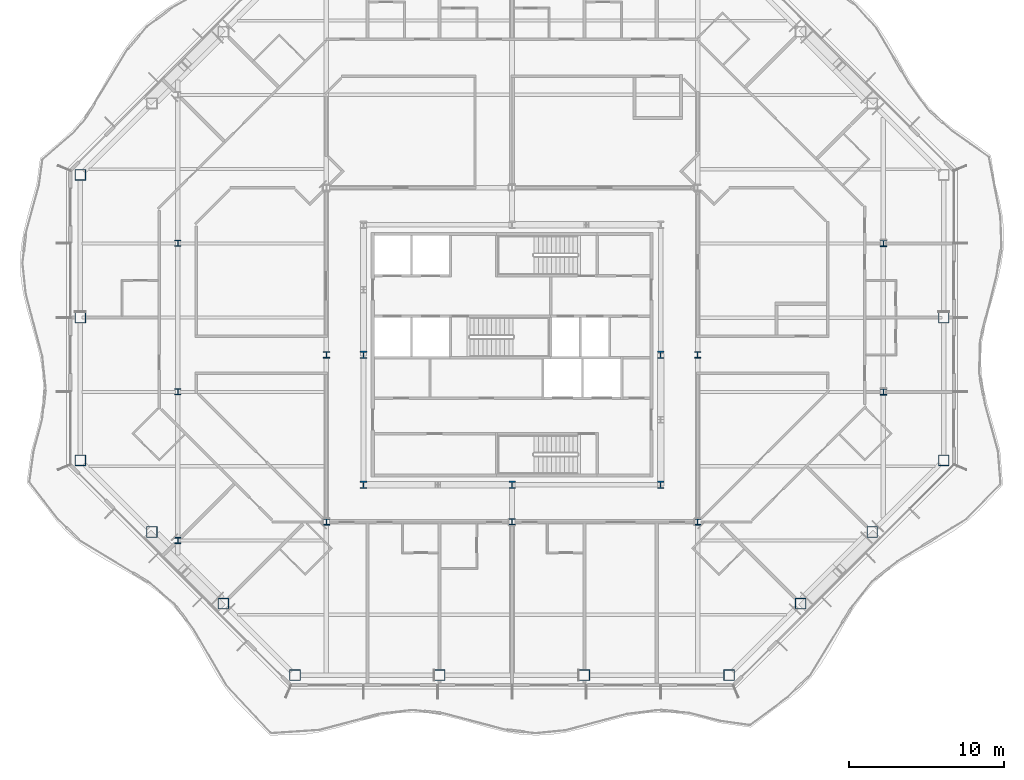
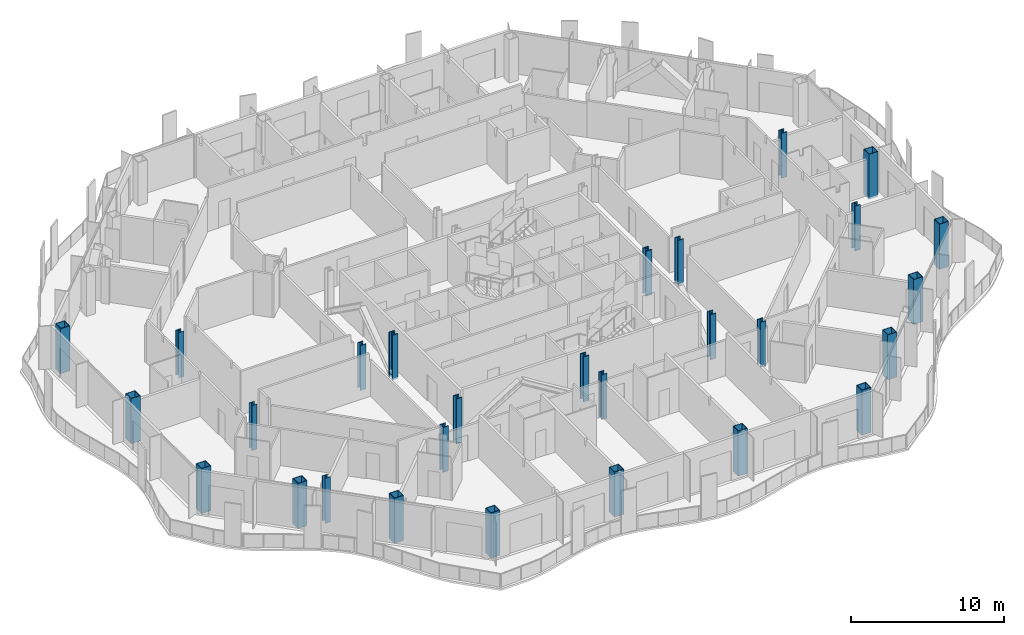
# One storey, part 1 of 21: 28 columns.
"""IFC4 building model written with IfcOpenShell, lengths in metres."""

from ifc_helpers import new_model, si_unit, direction, frame, origin, origin_2d, place, context, subcontext, project, spatial, hollow_rectangle, i_section, extrude, material, material_profile, profile_set, type_object, element, save


model = new_model("IFC4")

# Units and contexts
model_context = context("Model", 3, precision=1e-05, world=origin(), true_north=direction((0.0, 1.0)))
body_context = subcontext(model_context, "Body", "Model", "MODEL_VIEW")
ifc_project = project(units=[si_unit("LENGTHUNIT", "METRE"), si_unit("AREAUNIT", "SQUARE_METRE"), si_unit("VOLUMEUNIT", "CUBIC_METRE"), si_unit("PLANEANGLEUNIT", "RADIAN"), si_unit("MASSUNIT", "GRAM", prefix="KILO")], contexts=[model_context])

# Site, building, storey
site_placement = place(None, origin())
site = spatial("IfcSite", under=ifc_project, at=site_placement, CompositionType="ELEMENT")
building_placement = place(site_placement, origin())
building = spatial("IfcBuilding", under=site, at=building_placement, Name="Cairn Pilgrim Tower", CompositionType="ELEMENT")
storey_placement = place(building_placement, frame((0.0, 0.0, 139.800048828125)))
storey = spatial("IfcBuildingStorey", under=building, at=storey_placement, Name="L34", CompositionType="ELEMENT", Elevation=139.800048828125)

# Columns
ifc_material_1 = material(Name="Structural steel S460M", Category="steel")
ifc_material_profile_1 = material_profile(ifc_material_1, hollow_rectangle(XDim=0.699951171875, YDim=0.699951171875, WallThickness=0.0400390625, at=origin_2d()), Name="BOX 700x700x40")
ifc_profile_set_1 = profile_set([ifc_material_profile_1], Name="Structural steel S460M")
column_type_1 = type_object("IfcColumnType", Name="BOX 700x700x40", PredefinedType="COLUMN", material=ifc_profile_set_1)
for number, where, z_axis, x_axis, name in (
    (1, (-6.8271484375, -18.300048828125, -0.150146484375), (0.0, 0.0, 1.0), (1.0, 0.0, 0.0), "PC2-S1"),
    (2, (2.5244140625, -18.300048828125, -0.150146484375), (0.0, 0.0, 1.0), (1.0, 0.0, 0.0), "PC2-S2"),
    (3, (11.875732421875, -18.300048828125, -0.150146484375), (0.0, 0.0, 1.0), (1.0, 0.0, 0.0), "PC2-S3"),
    (4, (21.227294921875, -18.300048828125, -0.150146484375), (0.0, 0.0, 1.0), (1.0, 0.0, 0.0), "PC2-SE1"),
    (5, (25.8515625, -13.67578125, -0.150146484375), (0.0, 0.0, 1.0), (1.0, 0.0, 0.0), "PC2-SE2"),
    (6, (30.4755859375, -9.051513671875, -0.150146484375), (0.0, 0.0, 1.0), (1.0, 0.0, 0.0), "PC2-SE3"),
    (7, (35.10009765625, -4.42724609375, -0.150146484375), (0.0, 0.0, 1.0), (1.0, 0.0, 0.0), "PC2-E1"),
    (8, (35.10009765625, 4.800048828125, -0.150146484375), (0.0, 0.0, 1.0), (1.0, 0.0, 0.0), "PC2-E2"),
    (9, (-20.699951171875, 14.027099609375, -0.150146484375), (0.0, 0.0, 1.0), (1.0, 0.0, 0.0), "PC2-W1"),
    (10, (-20.699951171875, 4.800048828125, -0.150146484375), (0.0, 0.0, 1.0), (1.0, 0.0, 0.0), "PC2-W2"),
    (11, (-20.699951171875, -4.42724609375, -0.150146484375), (0.0, 0.0, 1.0), (1.0, 0.0, 0.0), "PC2-SW1"),
    (12, (-16.07568359375, -9.051513671875, -0.150146484375), (0.0, 0.0, 1.0), (1.0, 0.0, 0.0), "PC2-SW2"),
    (13, (-11.451416015625, -13.67578125, -0.150146484375), (0.0, 0.0, 1.0), (1.0, 0.0, 0.0), "PC2-SW3"),
):
    element("IfcColumn", number, at=place(storey_placement, frame(where, z_axis=z_axis, x_axis=x_axis)), inside=storey, type_object=column_type_1, Name=name, PredefinedType="COLUMN", context=body_context, shape_type="SweptSolid", body=[
        extrude(hollow_rectangle(XDim=0.699951171875, YDim=0.699951171875, WallThickness=0.0400390625, at=origin_2d()), origin(), (0.0, 0.0, 1.0), 3.60009765625),
    ])
ifc_material_2 = material(Name="Structural steel S355J2", Category="steel")
ifc_material_profile_2 = material_profile(ifc_material_2, i_section(OverallWidth=0.39892578125, OverallDepth=0.39306640625, WebThickness=0.022705078125, FlangeThickness=0.03662109375, FilletRadius=0.014892578125, at=origin_2d()), Name="HD 400x287")
ifc_profile_set_2 = profile_set([ifc_material_profile_2], Name="Structural steel S355J2")
column_type_2 = type_object("IfcColumnType", Name="HD 400x287", PredefinedType="COLUMN", material=ifc_profile_set_2)
for number, where, z_axis, x_axis, name in (
    (14, (-14.39990234375, -9.60009765625, -0.150146484375), (0.0, 0.0, 1.0), (1.0, 0.0, 0.0), "WC-WW-2"),
    (15, (-14.39990234375, 0.0, -0.150146484375), (0.0, 0.0, 1.0), (1.0, 0.0, 0.0), "WC-WW+0"),
    (16, (-14.39990234375, 9.60009765625, -0.150146484375), (0.0, 0.0, 1.0), (1.0, 0.0, 0.0), "WC-WW+2"),
):
    element("IfcColumn", number, at=place(storey_placement, frame(where, z_axis=z_axis, x_axis=x_axis)), inside=storey, type_object=column_type_2, Name=name, PredefinedType="COLUMN", context=body_context, shape_type="SweptSolid", body=[
        extrude(i_section(OverallWidth=0.39892578125, OverallDepth=0.39306640625, WebThickness=0.022705078125, FlangeThickness=0.03662109375, FilletRadius=0.014892578125, at=origin_2d()), origin(), (0.0, 0.0, 1.0), 3.60009765625),
    ])
ifc_material_profile_3 = material_profile(ifc_material_1, i_section(OverallWidth=0.408935546875, OverallDepth=0.425048828125, WebThickness=0.03271484375, FlangeThickness=0.052490234375, FilletRadius=0.014892578125, at=origin_2d()), Name="HD 400x421")
ifc_profile_set_3 = profile_set([ifc_material_profile_3], Name="Structural steel S460M")
column_type_3 = type_object("IfcColumnType", Name="HD 400x421", PredefinedType="COLUMN", material=ifc_profile_set_3)
for number, where, z_axis, x_axis, name in (
    (17, (-4.800048828125, -8.39990234375, -0.150146484375), (0.0, 0.0, 1.0), (1.0, 0.0, 0.0), "IC-1"),
    (18, (7.199951171875, -8.39990234375, -0.150146484375), (0.0, 0.0, 1.0), (1.0, 0.0, 0.0), "IC-2"),
    (19, (19.199951171875, -8.39990234375, -0.150146484375), (0.0, 0.0, 1.0), (1.0, 0.0, 0.0), "IC-3"),
    (20, (-4.800048828125, 2.39990234375, -0.150146484375), (0.0, 0.0, 1.0), (1.0, 0.0, 0.0), "IC-4"),
    (21, (19.199951171875, 2.39990234375, -0.150146484375), (0.0, 0.0, 1.0), (1.0, 0.0, 0.0), "IC-5"),
    (22, (31.199951171875, 0.0, -0.150146484375), (0.0, 0.0, 1.0), (1.0, 0.0, 0.0), "WC-WE+0"),
    (23, (31.199951171875, 9.60009765625, -0.150146484375), (0.0, 0.0, 1.0), (1.0, 0.0, 0.0), "WC-WE+2"),
):
    element("IfcColumn", number, at=place(storey_placement, frame(where, z_axis=z_axis, x_axis=x_axis)), inside=storey, type_object=column_type_3, Name=name, PredefinedType="COLUMN", context=body_context, shape_type="SweptSolid", body=[
        extrude(i_section(OverallWidth=0.408935546875, OverallDepth=0.425048828125, WebThickness=0.03271484375, FlangeThickness=0.052490234375, FilletRadius=0.014892578125, at=origin_2d()), origin(), (0.0, 0.0, 1.0), 3.60009765625),
    ])
ifc_material_profile_4 = material_profile(ifc_material_1, i_section(OverallWidth=0.424072265625, OverallDepth=0.47412109375, WebThickness=0.047607421875, FlangeThickness=0.0771484375, FilletRadius=0.014892578125, at=origin_2d()), Name="HD 400x634")
ifc_profile_set_4 = profile_set([ifc_material_profile_4], Name="Structural steel S460M")
column_type_4 = type_object("IfcColumnType", Name="HD 400x634", PredefinedType="COLUMN", material=ifc_profile_set_4)
for number, where, z_axis, x_axis, name in (
    (24, (-2.39990234375, -6.0, -0.150146484375), (0.0, 0.0, 1.0), (1.0, 0.0, 0.0), "KC-1"),
    (25, (7.199951171875, -6.0, -0.150146484375), (0.0, 0.0, 1.0), (1.0, 0.0, 0.0), "KC-2"),
    (26, (16.800048828125, -6.0, -0.150146484375), (0.0, 0.0, 1.0), (1.0, 0.0, 0.0), "KC-3"),
    (27, (-2.39990234375, 2.39990234375, -0.150146484375), (0.0, 0.0, 1.0), (1.0, 0.0, 0.0), "KC-4"),
    (28, (16.800048828125, 2.39990234375, -0.150146484375), (0.0, 0.0, 1.0), (1.0, 0.0, 0.0), "KC-5"),
):
    element("IfcColumn", number, at=place(storey_placement, frame(where, z_axis=z_axis, x_axis=x_axis)), inside=storey, type_object=column_type_4, Name=name, PredefinedType="COLUMN", context=body_context, shape_type="SweptSolid", body=[
        extrude(i_section(OverallWidth=0.424072265625, OverallDepth=0.47412109375, WebThickness=0.047607421875, FlangeThickness=0.0771484375, FilletRadius=0.014892578125, at=origin_2d()), origin(), (0.0, 0.0, 1.0), 3.60009765625),
    ])

save(model, "model.ifc")
